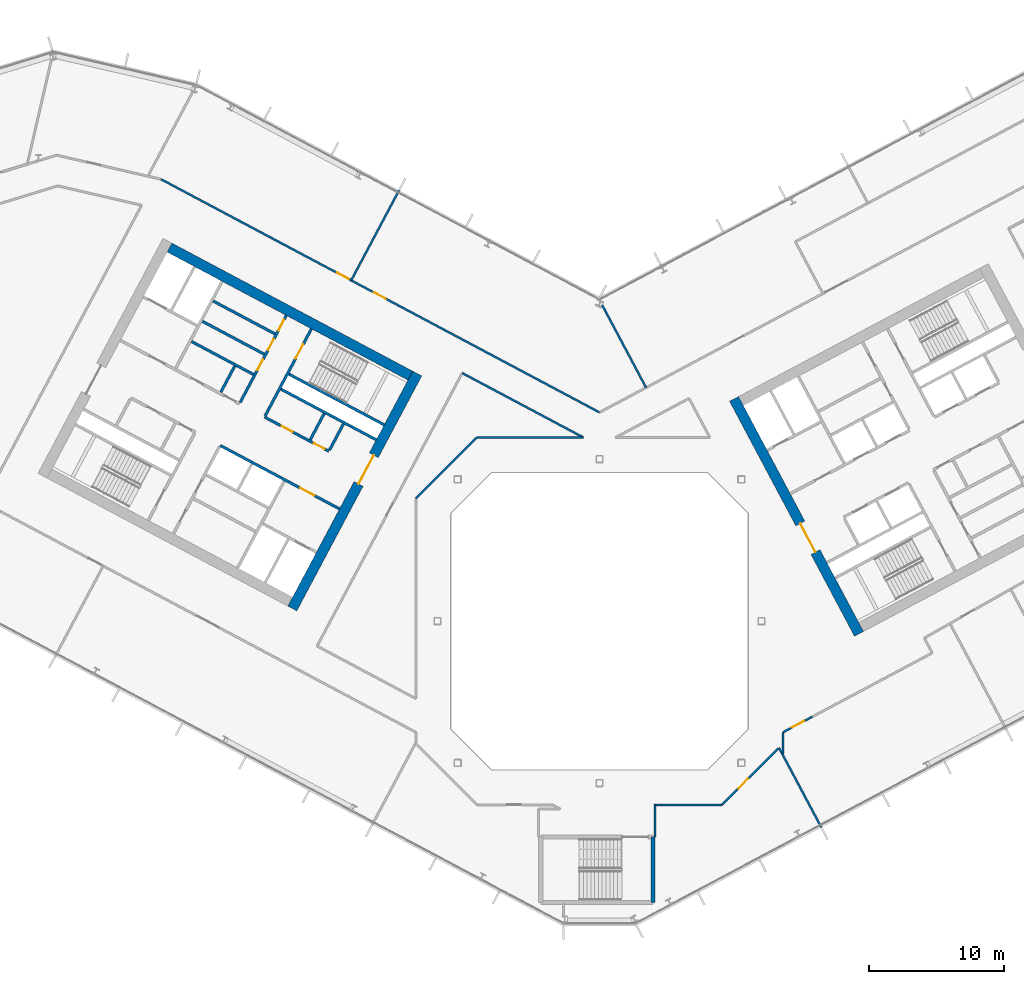
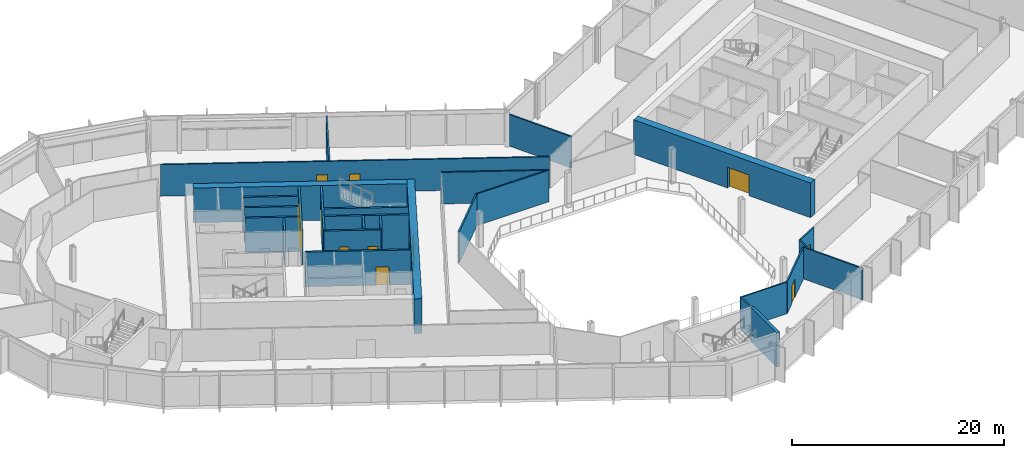
# One storey, part 15 of 28: 28 walls, 13 doors, 13 openings.
"""IFC4 building model written with IfcOpenShell, lengths in metres."""

from ifc_helpers import new_model, si_unit, direction, frame, frame_2d, origin, place, context, subcontext, project, spatial, rectangle, extrude, material, layer, layer_set, type_object, element, fill, save


model = new_model("IFC4")

# Units and contexts
model_context = context("Model", 3, precision=1e-05, world=origin(), true_north=direction((0.0, 1.0)))
body_context = subcontext(model_context, "Body", "Model", "MODEL_VIEW")
ifc_project = project(units=[si_unit("LENGTHUNIT", "METRE"), si_unit("AREAUNIT", "SQUARE_METRE"), si_unit("VOLUMEUNIT", "CUBIC_METRE"), si_unit("PLANEANGLEUNIT", "RADIAN"), si_unit("MASSUNIT", "GRAM", prefix="KILO")], contexts=[model_context])

# Site, building, storey
site_placement = place(None, origin())
site = spatial("IfcSite", under=ifc_project, at=site_placement, CompositionType="ELEMENT")
building_placement = place(site_placement, origin())
building = spatial("IfcBuilding", under=site, at=building_placement, Name="Cormorant Relay Tower", CompositionType="ELEMENT")
storey_placement = place(building_placement, frame((0.0, 0.0, 142.199951171875)))
storey = spatial("IfcBuildingStorey", under=building, at=storey_placement, Name="L29", CompositionType="ELEMENT", Elevation=142.199951171875)

# Walls
ifc_material_1 = material(Name="Concrete 40 MPa", Category="concrete")
ifc_layer_1 = layer(ifc_material_1, 0.199951171875)
ifc_layer_set_1 = layer_set([ifc_layer_1], Name="Core internal wall 200")
wall_type_1 = type_object("IfcWallType", Name="Core internal wall 200", PredefinedType="SOLIDWALL", material=ifc_layer_set_1)
for number, where, z_axis, x_axis, name in (
    (1, (-20.39013671875, 15.371826171875, 0.0), (0.0, 0.0, 1.0), (-0.4694473164, -0.882960484464, 0.0), "L29 core A shaft and room wall"),
    (2, (-27.01220703125, 18.892822265625, 0.0), (0.0, 0.0, 1.0), (-0.4694473164, -0.882960484464, 0.0), "L29 core A shaft and room wall"),
):
    element("IfcWall", number, at=place(storey_placement, frame(where, z_axis=z_axis, x_axis=x_axis)), inside=storey, type_object=wall_type_1, Name=name, PredefinedType="SOLIDWALL", context=body_context, shape_type="SweptSolid", body=[
        extrude(rectangle(XDim=2.199951171875, YDim=0.199951171875, at=frame_2d((1.10009765625, 0.0))), origin(), (0.0, 0.0, 1.0), 4.0),
    ])
for number, where, z_axis, x_axis, name in (
    (3, (-24.02685546875, 21.26953125, 0.0), (0.0, 0.0, 1.0), (-0.882934506056, 0.469496174655, 0.0), "L29 core A shaft and room wall"),
    (4, (-24.824951171875, 19.7685546875, 0.0), (0.0, 0.0, 1.0), (-0.882934506056, 0.469496174655, 0.0), "L29 core A shaft and room wall"),
):
    element("IfcWall", number, at=place(storey_placement, frame(where, z_axis=z_axis, x_axis=x_axis)), inside=storey, type_object=wall_type_1, Name=name, PredefinedType="SOLIDWALL", context=body_context, shape_type="SweptSolid", body=[
        extrude(rectangle(XDim=5.199951171875, YDim=0.199951171875, at=frame_2d((2.60009765625, 0.0))), origin(), (0.0, 0.0, 1.0), 4.0),
    ])
ifc_material_2 = material(Name="Concrete 50 MPa", Category="concrete")
ifc_layer_2 = layer(ifc_material_2, 0.199951171875)
ifc_layer_set_2 = layer_set([ifc_layer_2], Name="Core shaft wall 200")
wall_type_2 = type_object("IfcWallType", Name="Core shaft wall 200", PredefinedType="SHEAR", material=ifc_layer_set_2)
wall_1_placement = place(storey_placement, frame((-18.959716796875, 14.611328125, 0.0), z_axis=(0.0, 0.0, 1.0), x_axis=(-0.4694473164, -0.882960484464, 0.0)))
element("IfcWall", 5, at=wall_1_placement, inside=storey, type_object=wall_type_2, Name="L29 core A shaft wall", PredefinedType="SHEAR", context=body_context, shape_type="SweptSolid", body=[
    extrude(rectangle(XDim=2.199951171875, YDim=0.199951171875, at=frame_2d((1.10009765625, 0.0))), origin(), (0.0, 0.0, 1.0), 4.0),
])

# Wall, opening, door
wall_2_placement = place(storey_placement, frame((-21.333251953125, 21.6494140625, 0.0), z_axis=(0.0, 0.0, 1.0), x_axis=(-0.469494272526, -0.882935517501, 0.0)))
wall_2 = element("IfcWall", 6, at=wall_2_placement, inside=storey, type_object=wall_type_2, Name="L29 core A shaft wall", PredefinedType="SHEAR", context=body_context, shape_type="SweptSolid", body=[
    extrude(rectangle(XDim=7.2998046875, YDim=0.199951171875, at=frame_2d((3.64990234375, 0.0))), origin(), (0.0, 0.0, 1.0), 4.0),
])
opening_1_placement = place(wall_2_placement, frame((1.300048828125, 0.0, 0.0)))
opening_1 = element("IfcOpeningElement", 7, at=opening_1_placement, cuts=wall_2, Name="Opening CDB-034", PredefinedType="OPENING", context=body_context, shape_type="SweptSolid", body=[
    extrude(rectangle(XDim=1.199951171875, YDim=2.10009765625, at=frame_2d((0.60009765625, 1.050048828125))), frame((0.0, 0.10986328125, 0.0), z_axis=(0.0, -1.0, 0.0), x_axis=(1.0, 0.0, 0.0)), (0.0, 0.0, 1.0), 0.219970703125),
])
ifc_material_3 = material(Name="Steel fire door", Category="steel")
door_type_1 = type_object("IfcDoorType", Name="Core stair door 1200x2100", OperationType="SINGLE_SWING_LEFT", PredefinedType="DOOR", material=ifc_material_3)
door_1_placement = place(opening_1_placement, origin())
door_1 = element("IfcDoor", 8, at=door_1_placement, inside=storey, type_object=door_type_1, Name="Core stair door 1200x2100", OperationType="SINGLE_SWING_RIGHT", OverallHeight=2.10009765625, OverallWidth=1.199951171875, PredefinedType="DOOR", context=body_context, shape_type="SweptSolid", body=[
    extrude(rectangle(XDim=1.199951171875, YDim=2.10009765625, at=frame_2d((0.60009765625, 1.050048828125))), frame((0.0, 0.02490234375, 0.0), z_axis=(0.0, -1.0, 0.0), x_axis=(1.0, 0.0, 0.0)), (0.0, 0.0, 1.0), 0.050048828125),
])
fill(opening_1, door_1)

# Wall, openings, doors
wall_3_placement = place(storey_placement, frame((-23.1875, 22.635498046875, 0.0), z_axis=(0.0, 0.0, 1.0), x_axis=(-0.469454336211, -0.882956752176, 0.0)))
wall_3 = element("IfcWall", 9, at=wall_3_placement, inside=storey, type_object=wall_type_2, Name="L29 core A shaft wall", PredefinedType="SHEAR", context=body_context, shape_type="SweptSolid", body=[
    extrude(rectangle(XDim=7.300048828125, YDim=0.199951171875, at=frame_2d((3.64990234375, 0.0))), origin(), (0.0, 0.0, 1.0), 4.0),
])
opening_2_placement = place(wall_3_placement, frame((0.35009765625, 0.0, 0.0)))
opening_2 = element("IfcOpeningElement", 10, at=opening_2_placement, cuts=wall_3, Name="Opening CDD-198", PredefinedType="OPENING", context=body_context, shape_type="SweptSolid", body=[
    extrude(rectangle(XDim=0.89990234375, YDim=2.10009765625, at=frame_2d((0.449951171875, 1.050048828125))), frame((0.0, 0.10986328125, 0.0), z_axis=(0.0, -1.0, 0.0), x_axis=(1.0, 0.0, 0.0)), (0.0, 0.0, 1.0), 0.219970703125),
])
opening_3_placement = place(wall_3_placement, frame((2.0, 0.0, 0.0)))
opening_3 = element("IfcOpeningElement", 11, at=opening_3_placement, cuts=wall_3, Name="Opening CDD-199", PredefinedType="OPENING", context=body_context, shape_type="SweptSolid", body=[
    extrude(rectangle(XDim=0.89990234375, YDim=2.10009765625, at=frame_2d((0.449951171875, 1.050048828125))), frame((0.0, 0.10986328125, 0.0), z_axis=(0.0, -1.0, 0.0), x_axis=(1.0, 0.0, 0.0)), (0.0, 0.0, 1.0), 0.219970703125),
])
opening_4_placement = place(wall_3_placement, frame((3.699951171875, 0.0, 0.0)))
opening_4 = element("IfcOpeningElement", 12, at=opening_4_placement, cuts=wall_3, Name="Opening CDD-200", PredefinedType="OPENING", context=body_context, shape_type="SweptSolid", body=[
    extrude(rectangle(XDim=0.89990234375, YDim=2.10009765625, at=frame_2d((0.449951171875, 1.050048828125))), frame((0.0, 0.10986328125, 0.0), z_axis=(0.0, -1.0, 0.0), x_axis=(1.0, 0.0, 0.0)), (0.0, 0.0, 1.0), 0.219970703125),
])
ifc_material_4 = material(Name="Steel fire door", Category="steel")
door_type_2 = type_object("IfcDoorType", Name="Core room door 900x2100", OperationType="SINGLE_SWING_LEFT", PredefinedType="DOOR", material=ifc_material_4)
door_2_placement = place(opening_2_placement, origin())
door_2 = element("IfcDoor", 13, at=door_2_placement, inside=storey, type_object=door_type_2, Name="Core room door 900x2100", OperationType="SINGLE_SWING_LEFT", OverallHeight=2.10009765625, OverallWidth=0.89990234375, PredefinedType="DOOR", context=body_context, shape_type="SweptSolid", body=[
    extrude(rectangle(XDim=0.89990234375, YDim=2.10009765625, at=frame_2d((0.449951171875, 1.050048828125))), frame((0.0, 0.02490234375, 0.0), z_axis=(0.0, -1.0, 0.0), x_axis=(1.0, 0.0, 0.0)), (0.0, 0.0, 1.0), 0.050048828125),
])
fill(opening_2, door_2)
door_3_placement = place(opening_3_placement, origin())
door_3 = element("IfcDoor", 14, at=door_3_placement, inside=storey, type_object=door_type_2, Name="Core room door 900x2100", OperationType="SINGLE_SWING_LEFT", OverallHeight=2.10009765625, OverallWidth=0.89990234375, PredefinedType="DOOR", context=body_context, shape_type="SweptSolid", body=[
    extrude(rectangle(XDim=0.89990234375, YDim=2.10009765625, at=frame_2d((0.449951171875, 1.050048828125))), frame((0.0, 0.02490234375, 0.0), z_axis=(0.0, -1.0, 0.0), x_axis=(1.0, 0.0, 0.0)), (0.0, 0.0, 1.0), 0.050048828125),
])
fill(opening_3, door_3)
door_4_placement = place(opening_4_placement, origin())
door_4 = element("IfcDoor", 15, at=door_4_placement, inside=storey, type_object=door_type_2, Name="Core room door 900x2100", OperationType="SINGLE_SWING_LEFT", OverallHeight=2.10009765625, OverallWidth=0.89990234375, PredefinedType="DOOR", context=body_context, shape_type="SweptSolid", body=[
    extrude(rectangle(XDim=0.89990234375, YDim=2.10009765625, at=frame_2d((0.449951171875, 1.050048828125))), frame((0.0, 0.02490234375, 0.0), z_axis=(0.0, -1.0, 0.0), x_axis=(1.0, 0.0, 0.0)), (0.0, 0.0, 1.0), 0.050048828125),
])
fill(opening_4, door_4)

# Walls
wall_4_placement = place(storey_placement, frame((-15.94189453125, 14.53564453125, 0.0), z_axis=(0.0, 0.0, 1.0), x_axis=(-0.882946947542, 0.469472776449, 0.0)))
element("IfcWall", 16, at=wall_4_placement, inside=storey, type_object=wall_type_2, Name="L29 core A shaft wall", PredefinedType="SHEAR", context=body_context, shape_type="SweptSolid", body=[
    extrude(rectangle(XDim=8.000244140625, YDim=0.199951171875, at=frame_2d((4.0, 0.0))), origin(), (0.0, 0.0, 1.0), 4.0),
])
wall_5_placement = place(storey_placement, frame((-16.52880859375, 13.43212890625, 0.0), z_axis=(0.0, 0.0, 1.0), x_axis=(-0.88295287151, 0.469461634952, 0.0)))
element("IfcWall", 17, at=wall_5_placement, inside=storey, type_object=wall_type_2, Name="L29 core A shaft wall", PredefinedType="SHEAR", context=body_context, shape_type="SweptSolid", body=[
    extrude(rectangle(XDim=7.999755859375, YDim=0.199951171875, at=frame_2d((4.0, 0.0))), origin(), (0.0, 0.0, 1.0), 4.0),
])
wall_6_placement = place(storey_placement, frame((-25.623046875, 18.267578125, 0.0), z_axis=(0.0, 0.0, 1.0), x_axis=(-0.882953967957, 0.469459572775, 0.0)))
element("IfcWall", 18, at=wall_6_placement, inside=storey, type_object=wall_type_2, Name="L29 core A shaft wall", PredefinedType="SHEAR", context=body_context, shape_type="SweptSolid", body=[
    extrude(rectangle(XDim=5.199951171875, YDim=0.199951171875, at=frame_2d((2.60009765625, 0.0))), origin(), (0.0, 0.0, 1.0), 4.0),
])

# Wall, openings, doors
wall_7_placement = place(storey_placement, frame((-20.03955078125, 12.58056640625, 0.0), z_axis=(0.0, 0.0, 1.0), x_axis=(-0.882942972946, 0.469480251476, 0.0)))
wall_7 = element("IfcWall", 19, at=wall_7_placement, inside=storey, type_object=wall_type_2, Name="L29 core A shaft wall", PredefinedType="SHEAR", context=body_context, shape_type="SweptSolid", body=[
    extrude(rectangle(XDim=5.39990234375, YDim=0.199951171875, at=frame_2d((2.699951171875, 0.0))), origin(), (0.0, 0.0, 1.0), 4.0),
])
opening_5_placement = place(wall_7_placement, frame((0.360107421875, 0.0, 0.0)))
opening_5 = element("IfcOpeningElement", 20, at=opening_5_placement, cuts=wall_7, Name="Opening CDD-168", PredefinedType="OPENING", context=body_context, shape_type="SweptSolid", body=[
    extrude(rectangle(XDim=0.89990234375, YDim=2.10009765625, at=frame_2d((0.449951171875, 1.050048828125))), frame((0.0, 0.10986328125, 0.0), z_axis=(0.0, -1.0, 0.0), x_axis=(1.0, 0.0, 0.0)), (0.0, 0.0, 1.0), 0.219970703125),
])
opening_6_placement = place(wall_7_placement, frame((3.06005859375, 0.0, 0.0)))
opening_6 = element("IfcOpeningElement", 21, at=opening_6_placement, cuts=wall_7, Name="Opening CDD-169", PredefinedType="OPENING", context=body_context, shape_type="SweptSolid", body=[
    extrude(rectangle(XDim=0.89990234375, YDim=2.10009765625, at=frame_2d((0.449951171875, 1.050048828125))), frame((0.0, 0.10986328125, 0.0), z_axis=(0.0, -1.0, 0.0), x_axis=(1.0, 0.0, 0.0)), (0.0, 0.0, 1.0), 0.219970703125),
])
door_5_placement = place(opening_5_placement, origin())
door_5 = element("IfcDoor", 22, at=door_5_placement, inside=storey, type_object=door_type_2, Name="Core room door 900x2100", OperationType="SINGLE_SWING_LEFT", OverallHeight=2.10009765625, OverallWidth=0.89990234375, PredefinedType="DOOR", context=body_context, shape_type="SweptSolid", body=[
    extrude(rectangle(XDim=0.89990234375, YDim=2.10009765625, at=frame_2d((0.449951171875, 1.050048828125))), frame((0.0, 0.02490234375, 0.0), z_axis=(0.0, -1.0, 0.0), x_axis=(1.0, 0.0, 0.0)), (0.0, 0.0, 1.0), 0.050048828125),
])
fill(opening_5, door_5)
door_6_placement = place(opening_6_placement, origin())
door_6 = element("IfcDoor", 23, at=door_6_placement, inside=storey, type_object=door_type_2, Name="Core room door 900x2100", OperationType="SINGLE_SWING_LEFT", OverallHeight=2.10009765625, OverallWidth=0.89990234375, PredefinedType="DOOR", context=body_context, shape_type="SweptSolid", body=[
    extrude(rectangle(XDim=0.89990234375, YDim=2.10009765625, at=frame_2d((0.449951171875, 1.050048828125))), frame((0.0, 0.02490234375, 0.0), z_axis=(0.0, -1.0, 0.0), x_axis=(1.0, 0.0, 0.0)), (0.0, 0.0, 1.0), 0.050048828125),
])
fill(opening_6, door_6)

# Wall, opening, door
wall_8_placement = place(storey_placement, frame((-19.251708984375, 8.31103515625, 0.0), z_axis=(0.0, 0.0, 1.0), x_axis=(-0.882955722218, 0.469456273365, 0.0)))
wall_8 = element("IfcWall", 24, at=wall_8_placement, inside=storey, type_object=wall_type_2, Name="L29 core A shaft wall", PredefinedType="SHEAR", context=body_context, shape_type="SweptSolid", body=[
    extrude(rectangle(XDim=10.0, YDim=0.199951171875, at=frame_2d((5.0, 0.0))), origin(), (0.0, 0.0, 1.0), 4.0),
])
opening_7_placement = place(wall_8_placement, frame((2.10009765625, 0.0, 0.0)))
opening_7 = element("IfcOpeningElement", 25, at=opening_7_placement, cuts=wall_8, Name="Opening CDC-025", PredefinedType="OPENING", context=body_context, shape_type="SweptSolid", body=[
    extrude(rectangle(XDim=1.199951171875, YDim=2.10009765625, at=frame_2d((0.60009765625, 1.050048828125))), frame((0.0, 0.10986328125, 0.0), z_axis=(0.0, -1.0, 0.0), x_axis=(1.0, 0.0, 0.0)), (0.0, 0.0, 1.0), 0.219970703125),
])
ifc_material_5 = material(Name="Steel fire door", Category="steel")
door_type_3 = type_object("IfcDoorType", Name="Core lobby door 1200x2100", OperationType="SINGLE_SWING_LEFT", PredefinedType="DOOR", material=ifc_material_5)
door_7_placement = place(opening_7_placement, origin())
door_7 = element("IfcDoor", 26, at=door_7_placement, inside=storey, type_object=door_type_3, Name="Core lobby door 1200x2100", OperationType="SINGLE_SWING_RIGHT", OverallHeight=2.10009765625, OverallWidth=1.199951171875, PredefinedType="DOOR", context=body_context, shape_type="SweptSolid", body=[
    extrude(rectangle(XDim=1.199951171875, YDim=2.10009765625, at=frame_2d((0.60009765625, 1.050048828125))), frame((0.0, 0.02490234375, 0.0), z_axis=(0.0, -1.0, 0.0), x_axis=(1.0, 0.0, 0.0)), (0.0, 0.0, 1.0), 0.050048828125),
])
fill(opening_7, door_7)

ifc_material_6 = material(Name="Concrete 60 MPa", Category="concrete")
ifc_layer_3 = layer(ifc_material_6, 0.75)
ifc_layer_set_3 = layer_set([ifc_layer_3], Name="Core wall 750")
wall_type_3 = type_object("IfcWallType", Name="Core wall 750", PredefinedType="SHEAR", material=ifc_layer_set_3)
wall_9_placement = place(storey_placement, frame((-13.498291015625, 18.3330078125, 0.0), z_axis=(0.0, 0.0, 1.0), x_axis=(-0.469469918705, -0.88294846703, 0.0)))
wall_9 = element("IfcWall", 27, at=wall_9_placement, inside=storey, type_object=wall_type_3, Name="L29 core A wall", PredefinedType="SHEAR", context=body_context, shape_type="SweptSolid", body=[
    extrude(rectangle(XDim=19.699951171875, YDim=0.75, at=frame_2d((9.85009765625, 0.0))), origin(), (0.0, 0.0, 1.0), 4.0),
])
opening_8_placement = place(wall_9_placement, frame((6.85009765625, 0.0, 0.0)))
opening_8 = element("IfcOpeningElement", 28, at=opening_8_placement, cuts=wall_9, Name="Opening CDA-026", PredefinedType="OPENING", context=body_context, shape_type="SweptSolid", body=[
    extrude(rectangle(XDim=2.39990234375, YDim=2.39990234375, at=frame_2d((1.199951171875, 1.199951171875))), frame((0.0, 0.385009765625, 0.0), z_axis=(0.0, -1.0, 0.0), x_axis=(1.0, 0.0, 0.0)), (0.0, 0.0, 1.0), 0.77001953125),
])
ifc_material_7 = material(Name="Steel fire door", Category="steel")
door_type_4 = type_object("IfcDoorType", Name="Core lobby door 2400x2400", OperationType="DOUBLE_DOOR_SINGLE_SWING", PredefinedType="DOOR", material=ifc_material_7)
door_8_placement = place(opening_8_placement, origin())
door_8 = element("IfcDoor", 29, at=door_8_placement, inside=storey, type_object=door_type_4, Name="Core lobby door 2400x2400", OperationType="DOUBLE_DOOR_SINGLE_SWING", OverallHeight=2.39990234375, OverallWidth=2.39990234375, PredefinedType="DOOR", context=body_context, shape_type="SweptSolid", body=[
    extrude(rectangle(XDim=2.39990234375, YDim=2.39990234375, at=frame_2d((1.199951171875, 1.199951171875))), frame((0.0, 0.02490234375, 0.0), z_axis=(0.0, -1.0, 0.0), x_axis=(1.0, 0.0, 0.0)), (0.0, 0.0, 1.0), 0.050048828125),
])
fill(opening_8, door_8)

# Wall
wall_10_placement = place(storey_placement, frame((-14.00537109375, 18.177978515625, 0.0), z_axis=(0.0, 0.0, 1.0), x_axis=(-0.88295010195, 0.469466843842, 0.0)))
element("IfcWall", 30, at=wall_10_placement, inside=storey, type_object=wall_type_3, Name="L29 core A wall", PredefinedType="SHEAR", context=body_context, shape_type="SweptSolid", body=[
    extrude(rectangle(XDim=20.199951171875, YDim=0.75, at=frame_2d((10.10009765625, 0.0))), origin(), (0.0, 0.0, 1.0), 4.0),
])

# Wall, opening, door
wall_11_placement = place(storey_placement, frame((19.215087890625, -0.93896484375, 0.0), z_axis=(0.0, 0.0, 1.0), x_axis=(-0.469479580143, 0.882943329908, 0.0)))
wall_11 = element("IfcWall", 31, at=wall_11_placement, inside=storey, type_object=wall_type_3, Name="L29 core B wall", PredefinedType="SHEAR", context=body_context, shape_type="SweptSolid", body=[
    extrude(rectangle(XDim=19.699951171875, YDim=0.75, at=frame_2d((9.85009765625, 0.0))), origin(), (0.0, 0.0, 1.0), 4.0),
])
opening_9_placement = place(wall_11_placement, frame((6.85009765625, 0.0, 0.0)))
opening_9 = element("IfcOpeningElement", 32, at=opening_9_placement, cuts=wall_11, Name="Opening CDA-028", PredefinedType="OPENING", context=body_context, shape_type="SweptSolid", body=[
    extrude(rectangle(XDim=2.39990234375, YDim=2.39990234375, at=frame_2d((1.199951171875, 1.199951171875))), frame((0.0, 0.385009765625, 0.0), z_axis=(0.0, -1.0, 0.0), x_axis=(1.0, 0.0, 0.0)), (0.0, 0.0, 1.0), 0.77001953125),
])
door_9_placement = place(opening_9_placement, frame((2.39990234375, 0.0, 0.0), z_axis=(0.0, 0.0, 1.0), x_axis=(-1.0, 0.0, 0.0)))
door_9 = element("IfcDoor", 33, at=door_9_placement, inside=storey, type_object=door_type_4, Name="Core lobby door 2400x2400", OperationType="DOUBLE_DOOR_SINGLE_SWING", OverallHeight=2.39990234375, OverallWidth=2.39990234375, PredefinedType="DOOR", context=body_context, shape_type="SweptSolid", body=[
    extrude(rectangle(XDim=2.39990234375, YDim=2.39990234375, at=frame_2d((1.199951171875, 1.199951171875))), frame((0.0, 0.02490234375, 0.0), z_axis=(0.0, -1.0, 0.0), x_axis=(1.0, 0.0, 0.0)), (0.0, 0.0, 1.0), 0.050048828125),
])
fill(opening_9, door_9)

# Wall, openings, doors
ifc_material_8 = material(Name="Gypsum board fire partition")
ifc_layer_4 = layer(ifc_material_8, 0.14990234375)
ifc_layer_set_4 = layer_set([ifc_layer_4], Name="Corridor partition 150 EI 60")
wall_type_4 = type_object("IfcWallType", Name="Corridor partition 150 EI 60", PredefinedType="PARTITIONING", material=ifc_layer_set_4)
wall_12_placement = place(storey_placement, frame((-32.469970703125, 32.72412109375, 0.0), z_axis=(0.0, 0.0, 1.0), x_axis=(0.88295243426, -0.469462457321, 0.0)))
wall_12 = element("IfcWall", 34, at=wall_12_placement, inside=storey, type_object=wall_type_4, Name="wall/L29/part/032", PredefinedType="PARTITIONING", context=body_context, shape_type="SweptSolid", body=[
    extrude(rectangle(XDim=36.7744140625, YDim=0.14990234375, at=frame_2d((18.38720703125, 0.0))), origin(), (0.0, 0.0, 1.0), 3.64013671875),
])
opening_10_placement = place(wall_12_placement, frame((17.85009765625, 0.0, 0.0)))
opening_10 = element("IfcOpeningElement", 35, at=opening_10_placement, cuts=wall_12, Name="Opening DS-040", PredefinedType="OPENING", context=body_context, shape_type="SweptSolid", body=[
    extrude(rectangle(XDim=1.0, YDim=2.10009765625, at=frame_2d((0.5, 1.050048828125))), frame((0.0, 0.0849609375, 0.0), z_axis=(0.0, -1.0, 0.0), x_axis=(1.0, 0.0, 0.0)), (0.0, 0.0, 1.0), 0.169921875),
])
opening_11_placement = place(wall_12_placement, frame((14.75, 0.0, 0.0)))
opening_11 = element("IfcOpeningElement", 36, at=opening_11_placement, cuts=wall_12, Name="Opening DS-041", PredefinedType="OPENING", context=body_context, shape_type="SweptSolid", body=[
    extrude(rectangle(XDim=1.0, YDim=2.10009765625, at=frame_2d((0.5, 1.050048828125))), frame((0.0, 0.0849609375, 0.0), z_axis=(0.0, -1.0, 0.0), x_axis=(1.0, 0.0, 0.0)), (0.0, 0.0, 1.0), 0.169921875),
])
ifc_material_9 = material(Name="Timber door leaf", Category="wood")
door_type_5 = type_object("IfcDoorType", Name="Suite door 1000x2100", OperationType="SINGLE_SWING_LEFT", PredefinedType="DOOR", material=ifc_material_9)
door_10_placement = place(opening_10_placement, origin())
door_10 = element("IfcDoor", 37, at=door_10_placement, inside=storey, type_object=door_type_5, Name="door/L29/009", OperationType="SINGLE_SWING_RIGHT", OverallHeight=2.10009765625, OverallWidth=1.0, PredefinedType="DOOR", context=body_context, shape_type="SweptSolid", body=[
    extrude(rectangle(XDim=1.0, YDim=2.10009765625, at=frame_2d((0.5, 1.050048828125))), frame((0.0, 0.02490234375, 0.0), z_axis=(0.0, -1.0, 0.0), x_axis=(1.0, 0.0, 0.0)), (0.0, 0.0, 1.0), 0.050048828125),
])
fill(opening_10, door_10)
door_11_placement = place(opening_11_placement, origin())
door_11 = element("IfcDoor", 38, at=door_11_placement, inside=storey, type_object=door_type_5, Name="door/L29/010", OperationType="SINGLE_SWING_RIGHT", OverallHeight=2.10009765625, OverallWidth=1.0, PredefinedType="DOOR", context=body_context, shape_type="SweptSolid", body=[
    extrude(rectangle(XDim=1.0, YDim=2.10009765625, at=frame_2d((0.5, 1.050048828125))), frame((0.0, 0.02490234375, 0.0), z_axis=(0.0, -1.0, 0.0), x_axis=(1.0, 0.0, 0.0)), (0.0, 0.0, 1.0), 0.050048828125),
])
fill(opening_11, door_11)

# Wall, opening, door
wall_13_placement = place(storey_placement, frame((13.23291015625, -9.444091796875, 0.0), z_axis=(0.0, 0.0, 1.0), x_axis=(-0.707106781187, -0.707106781187, 0.0)))
wall_13 = element("IfcWall", 39, at=wall_13_placement, inside=storey, type_object=wall_type_4, Name="wall/L29/part/044", PredefinedType="PARTITIONING", context=body_context, shape_type="SweptSolid", body=[
    extrude(rectangle(XDim=5.87744140625, YDim=0.14990234375, at=frame_2d((2.938720703125, 0.0))), origin(), (0.0, 0.0, 1.0), 3.64013671875),
])
opening_12_placement = place(wall_13_placement, frame((3.14990234375, 0.0, 0.0)))
opening_12 = element("IfcOpeningElement", 40, at=opening_12_placement, cuts=wall_13, Name="Opening DS-036", PredefinedType="OPENING", context=body_context, shape_type="SweptSolid", body=[
    extrude(rectangle(XDim=1.0, YDim=2.10009765625, at=frame_2d((0.5, 1.050048828125))), frame((0.0, 0.0849609375, 0.0), z_axis=(0.0, -1.0, 0.0), x_axis=(1.0, 0.0, 0.0)), (0.0, 0.0, 1.0), 0.169921875),
])
door_12_placement = place(opening_12_placement, origin())
door_12 = element("IfcDoor", 41, at=door_12_placement, inside=storey, type_object=door_type_5, Name="door/L29/003", OperationType="SINGLE_SWING_LEFT", OverallHeight=2.10009765625, OverallWidth=1.0, PredefinedType="DOOR", context=body_context, shape_type="SweptSolid", body=[
    extrude(rectangle(XDim=1.0, YDim=2.10009765625, at=frame_2d((0.5, 1.050048828125))), frame((0.0, 0.02490234375, 0.0), z_axis=(0.0, -1.0, 0.0), x_axis=(1.0, 0.0, 0.0)), (0.0, 0.0, 1.0), 0.050048828125),
])
fill(opening_12, door_12)

# Walls
wall_14_placement = place(storey_placement, frame((9.076904296875, -13.60009765625, 0.0), z_axis=(0.0, 0.0, 1.0), x_axis=(-1.0, 0.0, 0.0)))
element("IfcWall", 42, at=wall_14_placement, inside=storey, type_object=wall_type_4, Name="wall/L29/part/045", PredefinedType="PARTITIONING", context=body_context, shape_type="SweptSolid", body=[
    extrude(rectangle(XDim=5.051025390625, YDim=0.14990234375, at=frame_2d((2.525390625, 0.0))), origin(), (0.0, 0.0, 1.0), 3.64013671875),
])
wall_15_placement = place(storey_placement, frame((4.10009765625, -15.97509765625, 0.0), z_axis=(0.0, 0.0, 1.0), x_axis=(0.0, 1.0, 0.0)))
element("IfcWall", 43, at=wall_15_placement, inside=storey, type_object=wall_type_4, Name="wall/L29/part/046", PredefinedType="PARTITIONING", context=body_context, shape_type="SweptSolid", body=[
    extrude(rectangle(XDim=2.35009765625, YDim=0.14990234375, at=frame_2d((1.175048828125, 0.0))), origin(), (0.0, 0.0, 1.0), 3.64013671875),
])
wall_16_placement = place(storey_placement, frame((13.60009765625, -8.2509765625, 0.0), z_axis=(0.0, 0.0, 1.0), x_axis=(0.0, -1.0, 0.0)))
element("IfcWall", 44, at=wall_16_placement, inside=storey, type_object=wall_type_4, Name="wall/L29/part/048", PredefinedType="PARTITIONING", context=body_context, shape_type="SweptSolid", body=[
    extrude(rectangle(XDim=1.594970703125, YDim=0.14990234375, at=frame_2d((0.79736328125, 0.0))), origin(), (0.0, 0.0, 1.0), 3.64013671875),
])

# Wall, opening, door
wall_17_placement = place(storey_placement, frame((13.60009765625, -8.22802734375, 0.0), z_axis=(0.0, 0.0, 1.0), x_axis=(0.882966268345, 0.46943643762, 0.0)))
wall_17 = element("IfcWall", 45, at=wall_17_placement, inside=storey, type_object=wall_type_4, Name="wall/L29/part/049", PredefinedType="PARTITIONING", context=body_context, shape_type="SweptSolid", body=[
    extrude(rectangle(XDim=2.4541015625, YDim=0.14990234375, at=frame_2d((1.22705078125, 0.0))), origin(), (0.0, 0.0, 1.0), 3.64013671875),
])
opening_13_placement = place(wall_17_placement, frame((0.75, 0.0, 0.0)))
opening_13 = element("IfcOpeningElement", 46, at=opening_13_placement, cuts=wall_17, Name="Opening DS-037", PredefinedType="OPENING", context=body_context, shape_type="SweptSolid", body=[
    extrude(rectangle(XDim=1.0, YDim=2.10009765625, at=frame_2d((0.5, 1.050048828125))), frame((0.0, 0.0849609375, 0.0), z_axis=(0.0, -1.0, 0.0), x_axis=(1.0, 0.0, 0.0)), (0.0, 0.0, 1.0), 0.169921875),
])
door_13_placement = place(opening_13_placement, frame((1.0, 0.0, 0.0), z_axis=(0.0, 0.0, 1.0), x_axis=(-1.0, 0.0, 0.0)))
door_13 = element("IfcDoor", 47, at=door_13_placement, inside=storey, type_object=door_type_5, Name="door/L29/004", OperationType="SINGLE_SWING_RIGHT", OverallHeight=2.10009765625, OverallWidth=1.0, PredefinedType="DOOR", context=body_context, shape_type="SweptSolid", body=[
    extrude(rectangle(XDim=1.0, YDim=2.10009765625, at=frame_2d((0.5, 1.050048828125))), frame((0.0, 0.02490234375, 0.0), z_axis=(0.0, -1.0, 0.0), x_axis=(1.0, 0.0, 0.0)), (0.0, 0.0, 1.0), 0.050048828125),
])
fill(opening_13, door_13)

# Walls
wall_18_placement = place(storey_placement, frame((-10.1640625, 18.3720703125, 0.0), z_axis=(0.0, 0.0, 1.0), x_axis=(0.882954583112, -0.469458415796, 0.0)))
element("IfcWall", 48, at=wall_18_placement, inside=storey, type_object=wall_type_4, Name="wall/L29/part/070", PredefinedType="PARTITIONING", context=body_context, shape_type="SweptSolid", body=[
    extrude(rectangle(XDim=10.164794921875, YDim=0.14990234375, at=frame_2d((5.08251953125, 0.0))), origin(), (0.0, 0.0, 1.0), 3.64013671875),
])
wall_19_placement = place(storey_placement, frame((-1.18896484375, 13.60009765625, 0.0), z_axis=(0.0, 0.0, 1.0), x_axis=(-1.0, 0.0, 0.0)))
element("IfcWall", 49, at=wall_19_placement, inside=storey, type_object=wall_type_4, Name="wall/L29/part/071", PredefinedType="PARTITIONING", context=body_context, shape_type="SweptSolid", body=[
    extrude(rectangle(XDim=7.887939453125, YDim=0.14990234375, at=frame_2d((3.94384765625, 0.0))), origin(), (0.0, 0.0, 1.0), 3.64013671875),
])
wall_20_placement = place(storey_placement, frame((-9.076904296875, 13.60009765625, 0.0), z_axis=(0.0, 0.0, 1.0), x_axis=(-0.707106781187, -0.707106781187, 0.0)))
element("IfcWall", 50, at=wall_20_placement, inside=storey, type_object=wall_type_4, Name="wall/L29/part/072", PredefinedType="PARTITIONING", context=body_context, shape_type="SweptSolid", body=[
    extrude(rectangle(XDim=6.396728515625, YDim=0.14990234375, at=frame_2d((3.1982421875, 0.0))), origin(), (0.0, 0.0, 1.0), 3.64013671875),
])
ifc_material_10 = material(Name="Concrete 50 MPa", Category="concrete")
ifc_layer_5 = layer(ifc_material_10, 0.300048828125)
ifc_layer_set_5 = layer_set([ifc_layer_5], Name="Remote stair wall 300")
wall_type_5 = type_object("IfcWallType", Name="Remote stair wall 300", PredefinedType="SHEAR", material=ifc_layer_set_5)
wall_21_placement = place(storey_placement, frame((3.949951171875, -15.97509765625, 0.0), z_axis=(0.0, 0.0, 1.0), x_axis=(0.0, -1.0, 0.0)))
element("IfcWall", 51, at=wall_21_placement, inside=storey, type_object=wall_type_5, Name="L29 exit stair RK1 wall", PredefinedType="SHEAR", context=body_context, shape_type="SweptSolid", body=[
    extrude(rectangle(XDim=4.849853515625, YDim=0.300048828125, at=frame_2d((2.4248046875, 0.0))), origin(), (0.0, 0.0, 1.0), 4.0),
])
ifc_material_11 = material(Name="Gypsum board partition")
ifc_layer_6 = layer(ifc_material_11, 0.14990234375)
ifc_layer_set_6 = layer_set([ifc_layer_6], Name="Tenant partition 150")
wall_type_6 = type_object("IfcWallType", Name="Tenant partition 150", PredefinedType="PARTITIONING", material=ifc_layer_set_6)
wall_22_placement = place(storey_placement, frame((-14.843994140625, 31.903076171875, 0.0), z_axis=(0.0, 0.0, 1.0), x_axis=(-0.469271860983, -0.883053747226, 0.0)))
element("IfcWall", 52, at=wall_22_placement, inside=storey, type_object=wall_type_6, Name="wall/L29/part/034", PredefinedType="PARTITIONING", context=body_context, shape_type="SweptSolid", body=[
    extrude(rectangle(XDim=7.550048828125, YDim=0.14990234375, at=frame_2d((3.77490234375, 0.0))), origin(), (0.0, 0.0, 1.0), 3.64013671875),
])
wall_23_placement = place(storey_placement, frame((0.19091796875, 23.422119140625, 0.0), z_axis=(0.0, 0.0, 1.0), x_axis=(0.46954180368, -0.882910241529, 0.0)))
element("IfcWall", 53, at=wall_23_placement, inside=storey, type_object=wall_type_6, Name="wall/L29/part/037", PredefinedType="PARTITIONING", context=body_context, shape_type="SweptSolid", body=[
    extrude(rectangle(XDim=6.94091796875, YDim=0.14990234375, at=frame_2d((3.470458984375, 0.0))), origin(), (0.0, 0.0, 1.0), 3.64013671875),
])
wall_24_placement = place(storey_placement, frame((13.294921875, -9.382080078125, 0.0), z_axis=(0.0, 0.0, 1.0), x_axis=(0.469560801687, -0.882900137908, 0.0)))
element("IfcWall", 54, at=wall_24_placement, inside=storey, type_object=wall_type_6, Name="wall/L29/part/047", PredefinedType="PARTITIONING", context=body_context, shape_type="SweptSolid", body=[
    extrude(rectangle(XDim=6.67431640625, YDim=0.14990234375, at=frame_2d((3.337158203125, 0.0))), origin(), (0.0, 0.0, 1.0), 3.64013671875),
])

save(model, "model.ifc")
